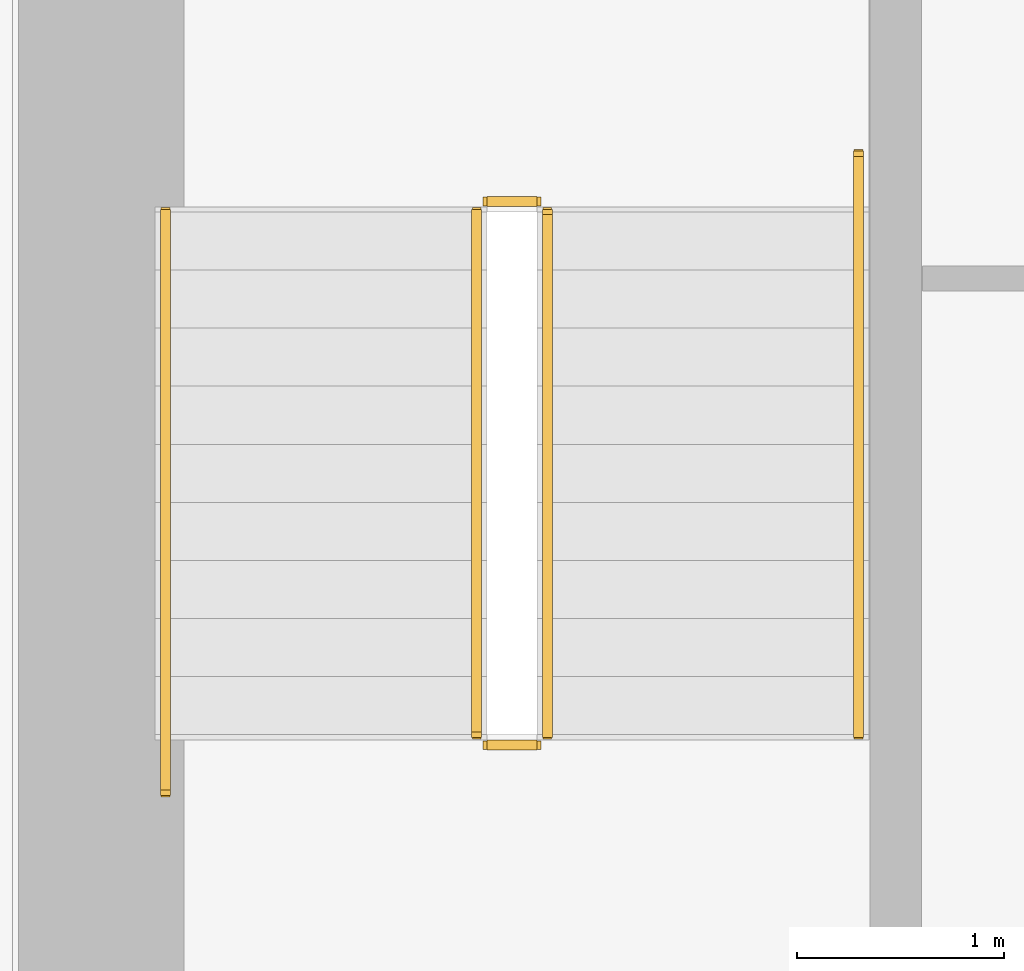
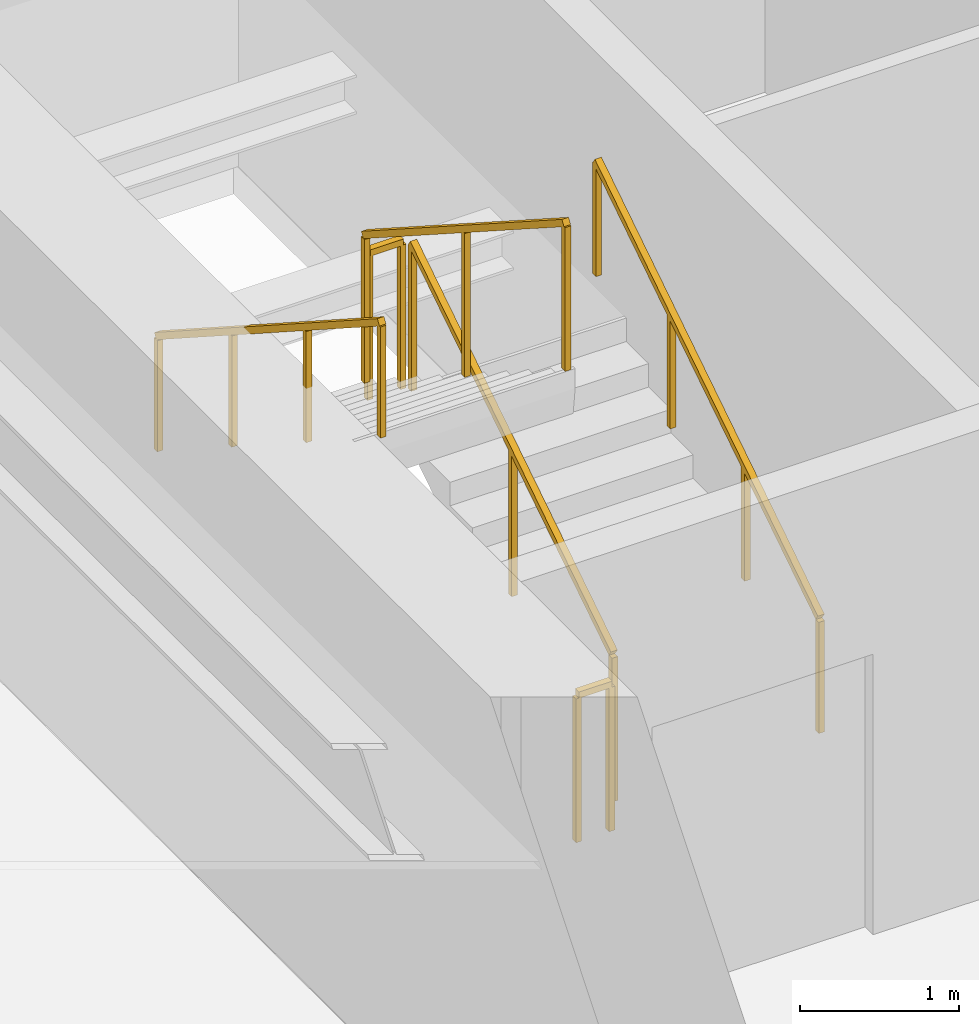
# One storey, part 31 of 34: 6 railings.
"""IFC4 building model written with IfcOpenShell, lengths in metres."""

from ifc_helpers import new_model, si_unit, direction, frame, origin, origin_2d, place, context, subcontext, project, spatial, rectangle, extrude, material, type_object, element, save


model = new_model("IFC4")

# Units and contexts
model_context = context("Model", 3, precision=1e-05, world=origin(), true_north=direction((0.0, 1.0)))
body_context = subcontext(model_context, "Body", "Model", "MODEL_VIEW")
ifc_project = project(units=[si_unit("LENGTHUNIT", "METRE"), si_unit("AREAUNIT", "SQUARE_METRE"), si_unit("VOLUMEUNIT", "CUBIC_METRE"), si_unit("PLANEANGLEUNIT", "RADIAN"), si_unit("MASSUNIT", "GRAM", prefix="KILO")], contexts=[model_context])

# Site, building, storey
site_placement = place(None, origin())
site = spatial("IfcSite", under=ifc_project, at=site_placement, CompositionType="ELEMENT")
building_placement = place(site_placement, origin())
building = spatial("IfcBuilding", under=site, at=building_placement, Name="Sumidabori Civic Tower", CompositionType="ELEMENT")
storey_placement = place(building_placement, frame((0.0, 0.0, 41.60009765625)))
storey = spatial("IfcBuildingStorey", under=building, at=storey_placement, Name="L10", CompositionType="ELEMENT", Elevation=41.60009765625)

# Railings
ifc_material_1 = material(Name="Stainless Steel Hairline Finish", Category="steel")
railing_type_1 = type_object("IfcRailingType", Name="RL-HANDRAIL", PredefinedType="HANDRAIL", material=ifc_material_1)
railing_1_placement = place(storey_placement, frame((-11.949951171875, 16.0, 0.179931640625)))
element("IfcRailing", 1, at=railing_1_placement, inside=storey, type_object=railing_type_1, Name="L10 ST-1 stair handrail 1", PredefinedType="HANDRAIL", context=body_context, shape_type="SweptSolid", body=[
    extrude(rectangle(XDim=0.048095703125, YDim=0.048095703125, at=origin_2d()), frame((0.0, 0.0, 0.8759765625), z_axis=(0.0, 0.840675598268, 0.541539046124), x_axis=(-1.0, 0.0, 0.0)), (0.0, 0.0, 1.0), 3.330810546875),
    extrude(rectangle(XDim=0.0419921875, YDim=0.0419921875, at=origin_2d()), origin(), (0.0, 0.0, 1.0), 0.851806640625),
    extrude(rectangle(XDim=0.0419921875, YDim=0.0419921875, at=origin_2d()), frame((0.0, 0.933349609375, 0.601318359375)), (0.0, 0.0, 1.0), 0.851806640625),
    extrude(rectangle(XDim=0.0419921875, YDim=0.0419921875, at=origin_2d()), frame((0.0, 1.86669921875, 1.202392578125)), (0.0, 0.0, 1.0), 0.851806640625),
    extrude(rectangle(XDim=0.0419921875, YDim=0.0419921875, at=origin_2d()), frame((0.0, 2.800048828125, 1.8037109375)), (0.0, 0.0, 1.0), 0.851806640625),
])
railing_2_placement = place(storey_placement, frame((-15.2900390625, 18.52001953125, 1.97998046875)))
element("IfcRailing", 2, at=railing_2_placement, inside=storey, type_object=railing_type_1, Name="L10 ST-1 stair handrail 2", PredefinedType="HANDRAIL", context=body_context, shape_type="SweptSolid", body=[
    extrude(rectangle(XDim=0.048095703125, YDim=0.048095703125, at=origin_2d()), frame((0.0, 0.0, 0.8759765625), z_axis=(0.0, -0.840675598268, 0.541539046124), x_axis=(1.0, 0.0, 0.0)), (0.0, 0.0, 1.0), 3.330810546875),
    extrude(rectangle(XDim=0.0419921875, YDim=0.0419921875, at=origin_2d()), origin(), (0.0, 0.0, 1.0), 0.851806640625),
    extrude(rectangle(XDim=0.0419921875, YDim=0.0419921875, at=origin_2d()), frame((0.0, -0.933349609375, 0.601318359375)), (0.0, 0.0, 1.0), 0.851806640625),
    extrude(rectangle(XDim=0.0419921875, YDim=0.0419921875, at=origin_2d()), frame((0.0, -1.86669921875, 1.202392578125)), (0.0, 0.0, 1.0), 0.851806640625),
    extrude(rectangle(XDim=0.0419921875, YDim=0.0419921875, at=origin_2d()), frame((0.0, -2.800048828125, 1.8037109375)), (0.0, 0.0, 1.0), 0.851806640625),
])
ifc_material_2 = material(Name="Steel SN490", Category="steel")
railing_type_2 = type_object("IfcRailingType", Name="RL-STAIR-GUARD", PredefinedType="GUARDRAIL", material=ifc_material_2)
railing_3_placement = place(storey_placement, frame((-13.449951171875, 16.0, 0.179931640625)))
element("IfcRailing", 3, at=railing_3_placement, inside=storey, type_object=railing_type_2, Name="L10 ST-1 stair guard 1", PredefinedType="GUARDRAIL", context=body_context, shape_type="SweptSolid", body=[
    extrude(rectangle(XDim=0.048095703125, YDim=0.048095703125, at=origin_2d()), frame((0.0, 0.0, 1.1259765625), z_axis=(0.0, 0.841199657755, 0.540724639528), x_axis=(-1.0, 0.0, 0.0)), (0.0, 0.0, 1.0), 2.995849609375),
    extrude(rectangle(XDim=0.0419921875, YDim=0.0419921875, at=origin_2d()), origin(), (0.0, 0.0, 1.0), 1.101806640625),
    extrude(rectangle(XDim=0.0419921875, YDim=0.0419921875, at=origin_2d()), frame((0.0, 1.260009765625, 0.81005859375)), (0.0, 0.0, 1.0), 1.101806640625),
    extrude(rectangle(XDim=0.0419921875, YDim=0.0419921875, at=origin_2d()), frame((0.0, 2.52001953125, 1.619873046875)), (0.0, 0.0, 1.0), 1.101806640625),
])
railing_4_placement = place(storey_placement, frame((-13.5, 18.570068359375, 1.7998046875)))
element("IfcRailing", 4, at=railing_4_placement, inside=storey, type_object=railing_type_2, Name="L10 ST-1 stair guard 2", PredefinedType="GUARDRAIL", context=body_context, shape_type="SweptSolid", body=[
    extrude(rectangle(XDim=0.048095703125, YDim=0.048095703125, at=origin_2d()), frame((0.0, 0.0, 1.1259765625), z_axis=(-1.0, 0.0, 0.0), x_axis=(0.0, -1.0, 0.0)), (0.0, 0.0, 1.0), 0.239990234375),
    extrude(rectangle(XDim=0.0419921875, YDim=0.0419921875, at=origin_2d()), origin(), (0.0, 0.0, 1.0), 1.101806640625),
    extrude(rectangle(XDim=0.0419921875, YDim=0.0419921875, at=origin_2d()), frame((-0.239990234375, 0.0, 0.0)), (0.0, 0.0, 1.0), 1.101806640625),
])
railing_5_placement = place(storey_placement, frame((-13.7900390625, 18.52001953125, 1.97998046875)))
element("IfcRailing", 5, at=railing_5_placement, inside=storey, type_object=railing_type_2, Name="L10 ST-1 stair guard 3", PredefinedType="GUARDRAIL", context=body_context, shape_type="SweptSolid", body=[
    extrude(rectangle(XDim=0.048095703125, YDim=0.048095703125, at=origin_2d()), frame((0.0, 0.0, 1.1259765625), z_axis=(0.0, -0.841199657755, 0.540724639528), x_axis=(1.0, 0.0, 0.0)), (0.0, 0.0, 1.0), 2.995849609375),
    extrude(rectangle(XDim=0.0419921875, YDim=0.0419921875, at=origin_2d()), origin(), (0.0, 0.0, 1.0), 1.101806640625),
    extrude(rectangle(XDim=0.0419921875, YDim=0.0419921875, at=origin_2d()), frame((0.0, -1.260009765625, 0.81005859375)), (0.0, 0.0, 1.0), 1.101806640625),
    extrude(rectangle(XDim=0.0419921875, YDim=0.0419921875, at=origin_2d()), frame((0.0, -2.52001953125, 1.619873046875)), (0.0, 0.0, 1.0), 1.101806640625),
])
railing_6_placement = place(storey_placement, frame((-13.5, 15.949951171875, 0.0)))
element("IfcRailing", 6, at=railing_6_placement, inside=storey, type_object=railing_type_2, Name="L10 ST-1 stair guard 4", PredefinedType="GUARDRAIL", context=body_context, shape_type="SweptSolid", body=[
    extrude(rectangle(XDim=0.048095703125, YDim=0.048095703125, at=origin_2d()), frame((0.0, 0.0, 1.1259765625), z_axis=(-1.0, 0.0, 0.0), x_axis=(0.0, -1.0, 0.0)), (0.0, 0.0, 1.0), 0.239990234375),
    extrude(rectangle(XDim=0.0419921875, YDim=0.0419921875, at=origin_2d()), origin(), (0.0, 0.0, 1.0), 1.101806640625),
    extrude(rectangle(XDim=0.0419921875, YDim=0.0419921875, at=origin_2d()), frame((-0.239990234375, 0.0, 0.0)), (0.0, 0.0, 1.0), 1.101806640625),
])

save(model, "model.ifc")
